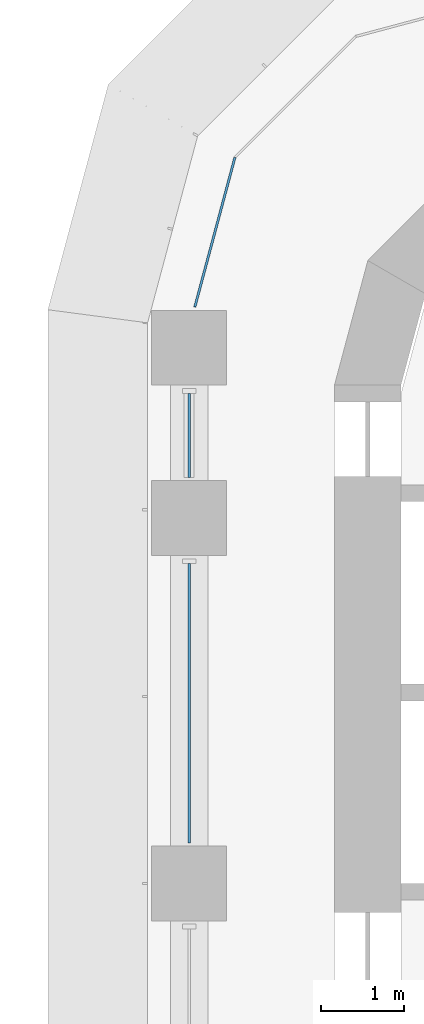
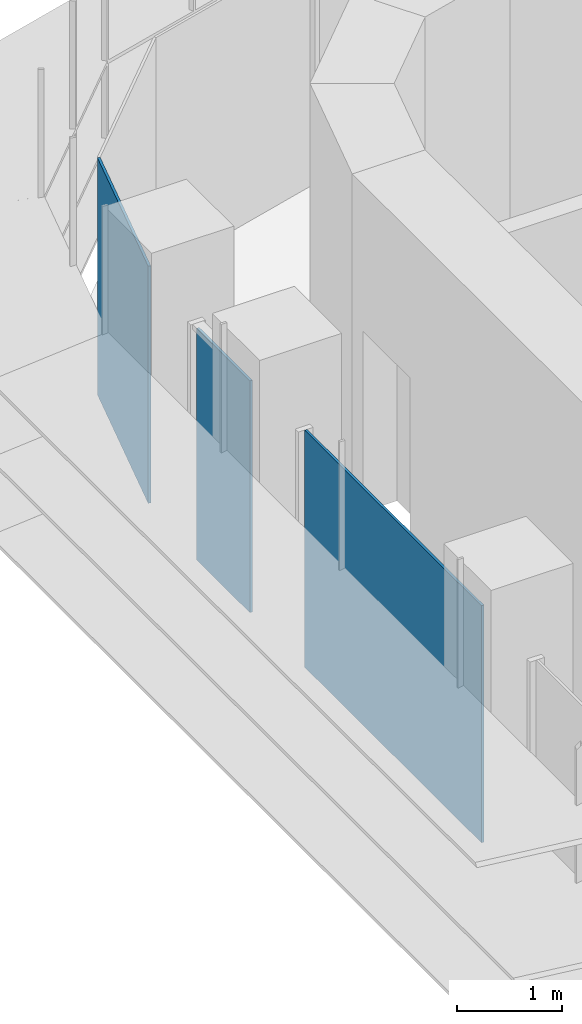
# One storey, part 13 of 22: 3 plates, 2 elements without a shape of their own.
"""IFC4 building model written with IfcOpenShell, lengths in metres."""

from ifc_helpers import new_model, si_unit, direction, frame, origin, place, context, subcontext, project, spatial, polyline, outline, extrude, source, transform, mapped, material, layer, layer_set, type_object, element, aggregate, save


model = new_model("IFC4")

# Units and contexts
model_context = context("Model", 3, precision=1e-05, world=origin(), true_north=direction((0.0, 1.0)))
body_context = subcontext(model_context, "Body", "Model", "MODEL_VIEW")
ifc_project = project(units=[si_unit("LENGTHUNIT", "METRE"), si_unit("AREAUNIT", "SQUARE_METRE"), si_unit("VOLUMEUNIT", "CUBIC_METRE"), si_unit("PLANEANGLEUNIT", "RADIAN"), si_unit("MASSUNIT", "GRAM", prefix="KILO")], contexts=[model_context])

# Site, building, storey
site_placement = place(None, origin())
site = spatial("IfcSite", under=ifc_project, at=site_placement, CompositionType="ELEMENT")
building_placement = place(site_placement, origin())
building = spatial("IfcBuilding", under=site, at=building_placement, Name="Zarbagh Exchange Tower", CompositionType="ELEMENT")
storey_placement = place(building_placement, frame((0.0, 0.0, 101.800048828125)))
storey = spatial("IfcBuildingStorey", under=building, at=storey_placement, Name="L23", CompositionType="ELEMENT", Elevation=101.800048828125)

# Curtain wall, plate
ifc_material_1 = material(Name="Anodised aluminium frame and glazing", Category="aluminium")
curtain_wall_type = type_object("IfcCurtainWallType", Name="CWA Ribbon glazing, lower zones", PredefinedType="NOTDEFINED", material=ifc_material_1)
curtain_wall_1_placement = place(storey_placement, origin())
curtain_wall_1 = element("IfcCurtainWall", 1, at=curtain_wall_1_placement, inside=storey, type_object=curtain_wall_type, Name="CWA56 curtain wall", PredefinedType="NOTDEFINED")
ifc_material_2 = material(Name="Low-e double glazed unit, 6+12+6 mm")
ifc_layer = layer(ifc_material_2, 0.028076171875)
ifc_layer_set = layer_set([ifc_layer], Name="PAA Glazing panel, Low-e double glazed unit, 6+12+6 mm")
plate_type = type_object("IfcPlateType", Name="PAA Glazing panel, Low-e double glazed unit, 6+12+6 mm", PredefinedType="CURTAIN_PANEL", material=ifc_layer_set)
shared_shape_1 = source(origin(), body_context, "Body", "SweptSolid", [
    extrude(outline(polyline([(0.0, -0.013916015625), (3.360107421875, -0.013916015625), (3.360107421875, 0.013916015625), (0.0, 0.013916015625), (0.0, -0.013916015625)])), origin(), (0.0, 0.0, 1.0), 2.75),
])
placement = place(storey_placement, origin())
plate_1 = element("IfcPlate", 2, at=placement, type_object=plate_type, Name="CWA56 glazing panel 2.1", PredefinedType="CURTAIN_PANEL", context=body_context, shape_type="MappedRepresentation", body=[
    mapped(shared_shape_1, transform((-6.25, 24.099853515625, 0.0), x_axis=(0.0, -1.0, 0.0), y_axis=(1.0, 0.0, 0.0), z_axis=(0.0, 0.0, 1.0))),
])

curtain_wall_2_placement = place(storey_placement, origin())
curtain_wall_2 = element("IfcCurtainWall", 3, at=curtain_wall_2_placement, inside=storey, type_object=curtain_wall_type, Name="CWA55 curtain wall", PredefinedType="NOTDEFINED")
shared_shape_2 = source(origin(), body_context, "Body", "SweptSolid", [
    extrude(outline(polyline([(0.0, -0.013916015625), (1.86474609375, -0.013916015625), (1.86474609375, 0.013916015625), (0.0, 0.013916015625), (0.0, -0.013916015625)])), origin(), (0.0, 0.0, 1.0), 2.75),
])
plate_2 = element("IfcPlate", 4, at=placement, type_object=plate_type, Name="CWA55 glazing panel 1.1", PredefinedType="CURTAIN_PANEL", context=body_context, shape_type="MappedRepresentation", body=[
    mapped(shared_shape_2, transform((-5.69873046875, 28.9912109375, 0.0), x_axis=(-0.258824779902, -0.965924289636, 0.0), y_axis=(0.965924289636, -0.258824779902, 0.0), z_axis=(0.0, 0.0, 1.0))),
])
aggregate(curtain_wall_2, [plate_2])

# Plate
shared_shape_3 = source(origin(), body_context, "Body", "SweptSolid", [
    extrude(outline(polyline([(0.0, -0.013916015625), (1.010009765625, -0.013916015625), (1.010009765625, 0.013916015625), (0.0, 0.013916015625), (0.0, -0.013916015625)])), origin(), (0.0, 0.0, 1.0), 2.68994140625),
])
plate_3 = element("IfcPlate", 5, at=placement, type_object=plate_type, Name="CWA56 glazing panel 1.1", PredefinedType="CURTAIN_PANEL", context=body_context, shape_type="MappedRepresentation", body=[
    mapped(shared_shape_3, transform((-6.25, 26.14990234375, 0.0), x_axis=(0.0, -1.0, 0.0), y_axis=(1.0, 0.0, 0.0), z_axis=(0.0, 0.0, 1.0))),
])

aggregate(curtain_wall_1, [plate_3, plate_1])

save(model, "model.ifc")
